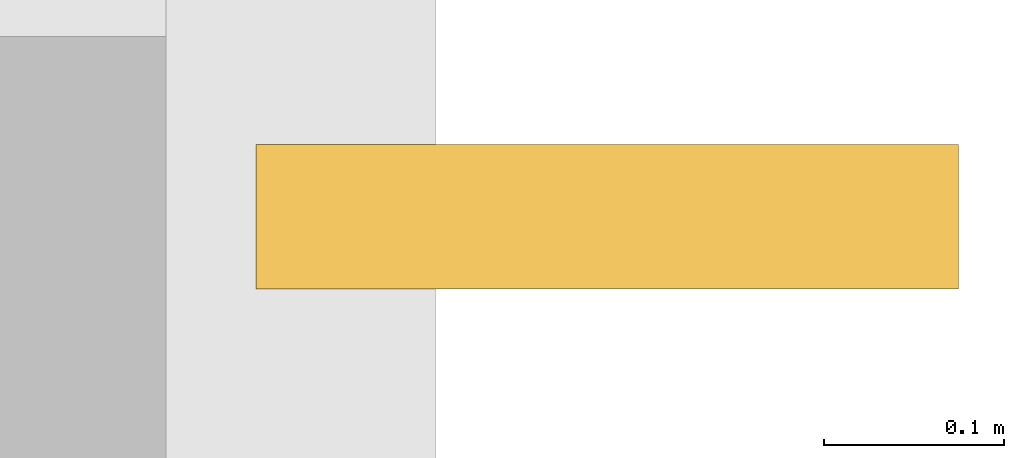
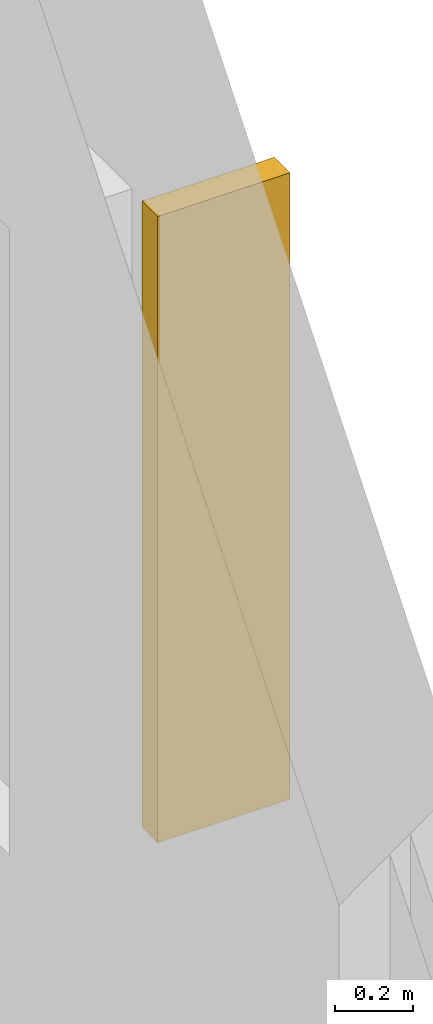
# One storey, part 119 of 125: 1 shading device.
"""IFC4 building model written with IfcOpenShell, lengths in metres."""

from ifc_helpers import new_model, si_unit, direction, frame, origin, origin_2d, place, context, subcontext, project, spatial, rectangle, extrude, material, type_object, element, save


model = new_model("IFC4")

# Units and contexts
model_context = context("Model", 3, precision=1e-05, world=origin(), true_north=direction((0.0, 1.0)))
body_context = subcontext(model_context, "Body", "Model", "MODEL_VIEW")
ifc_project = project(units=[si_unit("LENGTHUNIT", "METRE"), si_unit("AREAUNIT", "SQUARE_METRE"), si_unit("VOLUMEUNIT", "CUBIC_METRE"), si_unit("PLANEANGLEUNIT", "RADIAN"), si_unit("MASSUNIT", "GRAM", prefix="KILO")], contexts=[model_context])

# Site, building, storey
site_placement = place(None, origin())
site = spatial("IfcSite", under=ifc_project, at=site_placement, CompositionType="ELEMENT")
building_placement = place(site_placement, origin())
building = spatial("IfcBuilding", under=site, at=building_placement, Name="Myrtia Square Station", CompositionType="ELEMENT")
storey_placement = place(building_placement, frame((0.0, 0.0, 6.0)))
storey = spatial("IfcBuildingStorey", under=building, at=storey_placement, Name="L01", CompositionType="ELEMENT", Elevation=6.0)

# Shading device
ifc_material = material(Name="Dark bronze anodised aluminium", Category="aluminium")
shading_device_type = type_object("IfcShadingDeviceType", Name="SHD-FIN-BRONZE", PredefinedType="USERDEFINED", material=ifc_material)
shading_device_placement = place(storey_placement, frame((189.169921875, 91.93994140625, 0.9501953125), z_axis=(0.0, 0.0, 1.0), x_axis=(0.0, 1.0, 0.0)))
element("IfcShadingDevice", 1, at=shading_device_placement, inside=storey, type_object=shading_device_type, Name="Vertical bronze solar fin SHF-051", ObjectType="FIN", PredefinedType="USERDEFINED", context=body_context, shape_type="SweptSolid", body=[
    extrude(rectangle(XDim=0.080078125, YDim=0.389892578125, at=origin_2d()), origin(), (0.0, 0.0, 1.0), 1.949951171875),
])

save(model, "model.ifc")
